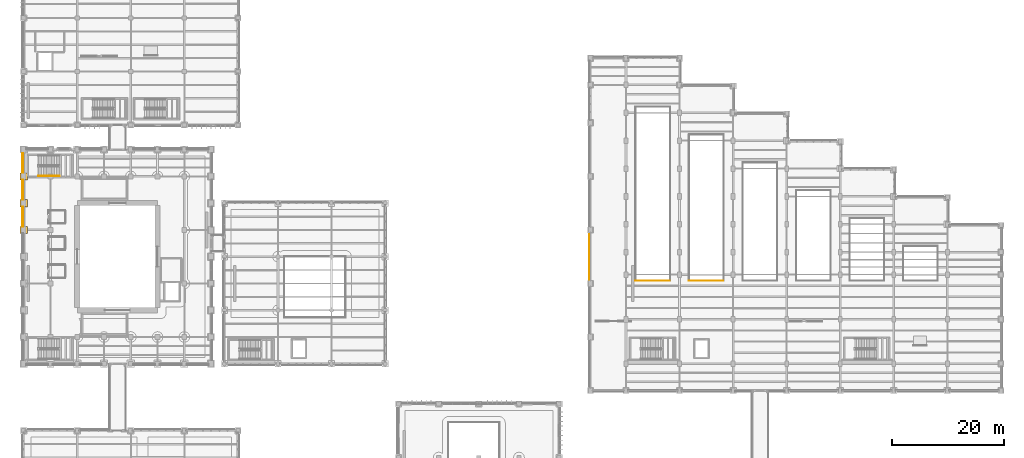
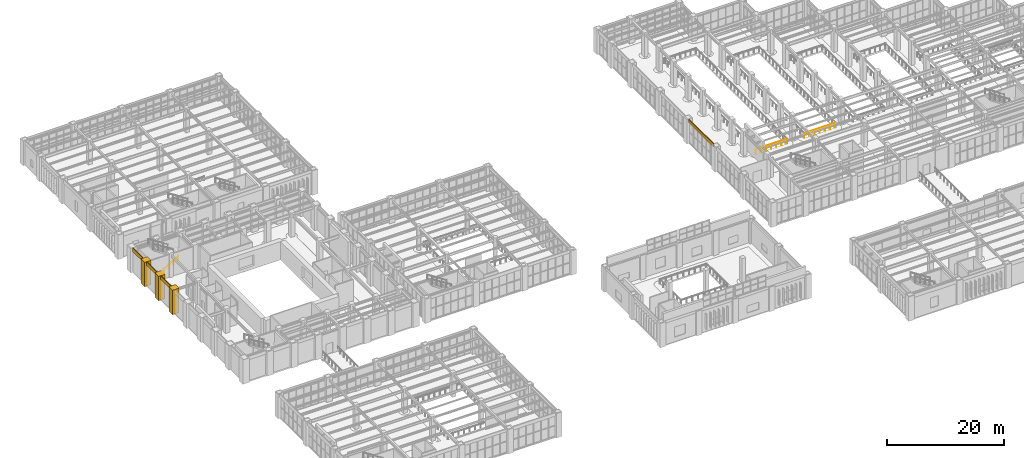
# One storey, part 164 of 174: 7 coverings, 3 railings.
"""IFC4 building model written with IfcOpenShell, lengths in metres."""

from ifc_helpers import new_model, si_unit, direction, frame, origin, origin_2d, place, context, subcontext, project, spatial, polyline, circle, outline, extrude, material, layer, layer_set, type_object, element, save


model = new_model("IFC4")

# Units and contexts
model_context = context("Model", 3, precision=1e-05, world=origin(), true_north=direction((0.0, 1.0)))
body_context = subcontext(model_context, "Body", "Model", "MODEL_VIEW")
ifc_project = project(units=[si_unit("LENGTHUNIT", "METRE"), si_unit("AREAUNIT", "SQUARE_METRE"), si_unit("VOLUMEUNIT", "CUBIC_METRE"), si_unit("PLANEANGLEUNIT", "RADIAN"), si_unit("MASSUNIT", "GRAM", prefix="KILO")], contexts=[model_context])

# Site, building, storey
site_placement = place(None, origin())
site = spatial("IfcSite", under=ifc_project, at=site_placement, CompositionType="ELEMENT")
building_placement = place(site_placement, origin())
building = spatial("IfcBuilding", under=site, at=building_placement, Name="Mavantir Sound Aquarium", CompositionType="ELEMENT")
storey_placement = place(building_placement, frame((0.0, 0.0, 5.39990234375)))
storey = spatial("IfcBuildingStorey", under=building, at=storey_placement, Name="L01", CompositionType="ELEMENT", Elevation=5.39990234375)

# Coverings
ifc_material_1 = material(Name="Honed Coral-Limestone & Glazed Terracotta Rainscreen Cladding", Category="masonry")
ifc_layer = layer(ifc_material_1, 0.06005859375, Name="Honed Coral-Limestone & Glazed Terracotta Rainscreen Cladding")
ifc_layer_set = layer_set([ifc_layer], Name="Honed Coral-Limestone & Glazed Terracotta Rainscreen Cladding")
covering_type = type_object("IfcCoveringType", Name="COV-CLAD-TC", PredefinedType="CLADDING", material=ifc_layer_set)
covering_1_placement = place(storey_placement, frame((0.0, 0.0, 4.30810546875)))
element("IfcCovering", 1, at=covering_1_placement, inside=storey, type_object=covering_type, Name="L01 Postmodern coral-limestone spandrel frieze 168", PredefinedType="CLADDING", context=body_context, shape_type="SweptSolid", body=[
    extrude(outline(polyline([(-0.090087890625, 78.592041015625), (-0.090087890625, 75.008056640625), (-0.239990234375, 75.008056640625), (-0.239990234375, 78.592041015625), (-0.090087890625, 78.592041015625)])), origin(), (0.0, 0.0, 1.0), 0.7919921875),
])
covering_2_placement = place(storey_placement, frame((0.0, 0.0, 4.30810546875)))
element("IfcCovering", 2, at=covering_2_placement, inside=storey, type_object=covering_type, Name="L01 Postmodern coral-limestone spandrel frieze 169", PredefinedType="CLADDING", context=body_context, shape_type="SweptSolid", body=[
    extrude(outline(polyline([(-0.090087890625, 73.7919921875), (-0.090087890625, 70.2080078125), (-0.239990234375, 70.2080078125), (-0.239990234375, 73.7919921875), (-0.090087890625, 73.7919921875)])), origin(), (0.0, 0.0, 1.0), 0.7919921875),
])
covering_3_placement = place(storey_placement, frame((0.0, 0.0, 4.30810546875)))
element("IfcCovering", 3, at=covering_3_placement, inside=storey, type_object=covering_type, Name="L01 Postmodern coral-limestone spandrel frieze 170", PredefinedType="CLADDING", context=body_context, shape_type="SweptSolid", body=[
    extrude(outline(polyline([(-0.090087890625, 68.991943359375), (-0.090087890625, 65.407958984375), (-0.239990234375, 65.407958984375), (-0.239990234375, 68.991943359375), (-0.090087890625, 68.991943359375)])), origin(), (0.0, 0.0, 1.0), 0.7919921875),
])
covering_4_placement = place(storey_placement, frame((0.0, 0.0, 4.39599609375)))
element("IfcCovering", 4, at=covering_4_placement, inside=storey, type_object=covering_type, Name="L01 Postmodern coral-limestone spandrel frieze 221", PredefinedType="CLADDING", context=body_context, shape_type="SweptSolid", body=[
    extrude(outline(polyline([(101.510009765625, 64.2919921875), (101.510009765625, 55.7080078125), (101.360107421875, 55.7080078125), (101.360107421875, 64.2919921875), (101.510009765625, 64.2919921875)])), origin(), (0.0, 0.0, 1.0), 0.7041015625),
])
covering_5_placement = place(storey_placement, origin())
element("IfcCovering", 5, at=covering_5_placement, inside=storey, type_object=covering_type, Name="L01 Postmodern coral-limestone pilaster casing 22", PredefinedType="CLADDING", context=body_context, shape_type="SweptSolid", body=[
    extrude(outline(polyline([(-0.64990234375, 64.14990234375), (0.64990234375, 64.14990234375), (0.64990234375, 65.449951171875), (-0.64990234375, 65.449951171875), (-0.64990234375, 64.14990234375)])), origin(), (0.0, 0.0, 1.0), 5.10009765625),
])
covering_6_placement = place(storey_placement, origin())
element("IfcCovering", 6, at=covering_6_placement, inside=storey, type_object=covering_type, Name="L01 Postmodern coral-limestone pilaster casing 26", PredefinedType="CLADDING", context=body_context, shape_type="SweptSolid", body=[
    extrude(outline(polyline([(-0.64990234375, 68.949951171875), (0.64990234375, 68.949951171875), (0.64990234375, 70.25), (-0.64990234375, 70.25), (-0.64990234375, 68.949951171875)])), origin(), (0.0, 0.0, 1.0), 5.10009765625),
])
covering_7_placement = place(storey_placement, origin())
element("IfcCovering", 7, at=covering_7_placement, inside=storey, type_object=covering_type, Name="L01 Postmodern coral-limestone pilaster casing 30", PredefinedType="CLADDING", context=body_context, shape_type="SweptSolid", body=[
    extrude(outline(polyline([(-0.64990234375, 73.75), (0.64990234375, 73.75), (0.64990234375, 75.050048828125), (-0.64990234375, 75.050048828125), (-0.64990234375, 73.75)])), origin(), (0.0, 0.0, 1.0), 5.10009765625),
])

# Railings
ifc_material_2 = material(Name="Stainless Steel 316 and Laminated Glass Guardrail", Category="steel")
railing_type_1 = type_object("IfcRailingType", Name="RL-GUARD-110", PredefinedType="GUARDRAIL", material=ifc_material_2)
railing_1_placement = place(storey_placement, frame((109.699951171875, 55.699951171875, 0.0)))
element("IfcRailing", 8, at=railing_1_placement, inside=storey, type_object=railing_type_1, Name="L01 atrium void S guardrail 99", PredefinedType="GUARDRAIL", context=body_context, shape_type="SweptSolid", body=[
    extrude(circle(Radius=0.02392578125, at=origin_2d()), frame((0.0, 0.0, 1.076171875), z_axis=(1.0, 0.0, 0.0), x_axis=(0.0, 1.0, 0.0)), (0.0, 0.0, 1.0), 6.1201171875),
    extrude(circle(Radius=0.02099609375, at=origin_2d()), origin(), (0.0, 0.0, 1.0), 1.052001953125),
    extrude(circle(Radius=0.02099609375, at=origin_2d()), frame((1.02001953125, 0.0, 0.0)), (0.0, 0.0, 1.0), 1.052001953125),
    extrude(circle(Radius=0.02099609375, at=origin_2d()), frame((2.0400390625, 0.0, 0.0)), (0.0, 0.0, 1.0), 1.052001953125),
    extrude(circle(Radius=0.02099609375, at=origin_2d()), frame((3.06005859375, 0.0, 0.0)), (0.0, 0.0, 1.0), 1.052001953125),
    extrude(circle(Radius=0.02099609375, at=origin_2d()), frame((4.080078125, 0.0, 0.0)), (0.0, 0.0, 1.0), 1.052001953125),
    extrude(circle(Radius=0.02099609375, at=origin_2d()), frame((5.10009765625, 0.0, 0.0)), (0.0, 0.0, 1.0), 1.052001953125),
    extrude(circle(Radius=0.02099609375, at=origin_2d()), frame((6.1201171875, 0.0, 0.0)), (0.0, 0.0, 1.0), 1.052001953125),
])
railing_2_placement = place(storey_placement, frame((119.300048828125, 55.699951171875, 0.0)))
element("IfcRailing", 9, at=railing_2_placement, inside=storey, type_object=railing_type_1, Name="L01 atrium void S guardrail 103", PredefinedType="GUARDRAIL", context=body_context, shape_type="SweptSolid", body=[
    extrude(circle(Radius=0.02392578125, at=origin_2d()), frame((0.0, 0.0, 1.076171875), z_axis=(1.0, 0.0, 0.0), x_axis=(0.0, 1.0, 0.0)), (0.0, 0.0, 1.0), 6.119873046875),
    extrude(circle(Radius=0.02099609375, at=origin_2d()), origin(), (0.0, 0.0, 1.0), 1.052001953125),
    extrude(circle(Radius=0.02099609375, at=origin_2d()), frame((1.02001953125, 0.0, 0.0)), (0.0, 0.0, 1.0), 1.052001953125),
    extrude(circle(Radius=0.02099609375, at=origin_2d()), frame((2.0400390625, 0.0, 0.0)), (0.0, 0.0, 1.0), 1.052001953125),
    extrude(circle(Radius=0.02099609375, at=origin_2d()), frame((3.06005859375, 0.0, 0.0)), (0.0, 0.0, 1.0), 1.052001953125),
    extrude(circle(Radius=0.02099609375, at=origin_2d()), frame((4.079833984375, 0.0, 0.0)), (0.0, 0.0, 1.0), 1.052001953125),
    extrude(circle(Radius=0.02099609375, at=origin_2d()), frame((5.099853515625, 0.0, 0.0)), (0.0, 0.0, 1.0), 1.052001953125),
    extrude(circle(Radius=0.02099609375, at=origin_2d()), frame((6.119873046875, 0.0, 0.0)), (0.0, 0.0, 1.0), 1.052001953125),
])
ifc_material_3 = material(Name="Brushed Stainless Steel 316 Handrail", Category="steel")
railing_type_2 = type_object("IfcRailingType", Name="RL-HR-90", PredefinedType="HANDRAIL", material=ifc_material_3)
railing_3_placement = place(storey_placement, frame((2.64990234375, 74.449951171875, 0.3671875)))
element("IfcRailing", 10, at=railing_3_placement, inside=storey, type_object=railing_type_2, Name="L01 ST2 stair handrail 1", PredefinedType="HANDRAIL", context=body_context, shape_type="SweptSolid", body=[
    extrude(circle(Radius=0.02392578125, at=origin_2d()), frame((0.0, 0.0, 0.89111328125), z_axis=(0.846819337722, 0.0, 0.53188063441), x_axis=(0.0, 1.0, 0.0)), (0.0, 0.0, 1.0), 4.451904296875),
    extrude(circle(Radius=0.02099609375, at=origin_2d()), origin(), (0.0, 0.0, 1.0), 0.866943359375),
    extrude(circle(Radius=0.02099609375, at=origin_2d()), frame((0.9423828125, 0.0, 0.592041015625)), (0.0, 0.0, 1.0), 0.866943359375),
    extrude(circle(Radius=0.02099609375, at=origin_2d()), frame((1.885009765625, 0.0, 1.18408203125)), (0.0, 0.0, 1.0), 0.866943359375),
    extrude(circle(Radius=0.02099609375, at=origin_2d()), frame((2.82763671875, 0.0, 1.77587890625)), (0.0, 0.0, 1.0), 0.866943359375),
    extrude(circle(Radius=0.02099609375, at=origin_2d()), frame((3.77001953125, 0.0, 2.367919921875)), (0.0, 0.0, 1.0), 0.866943359375),
])

save(model, "model.ifc")
